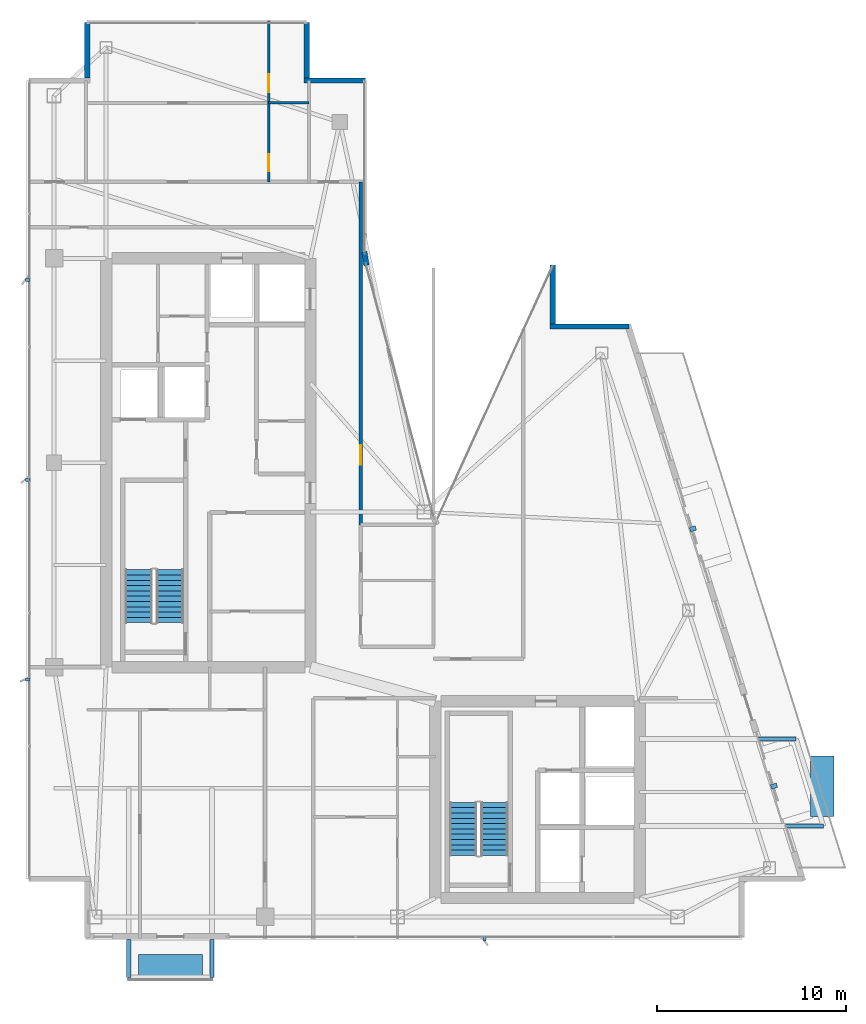
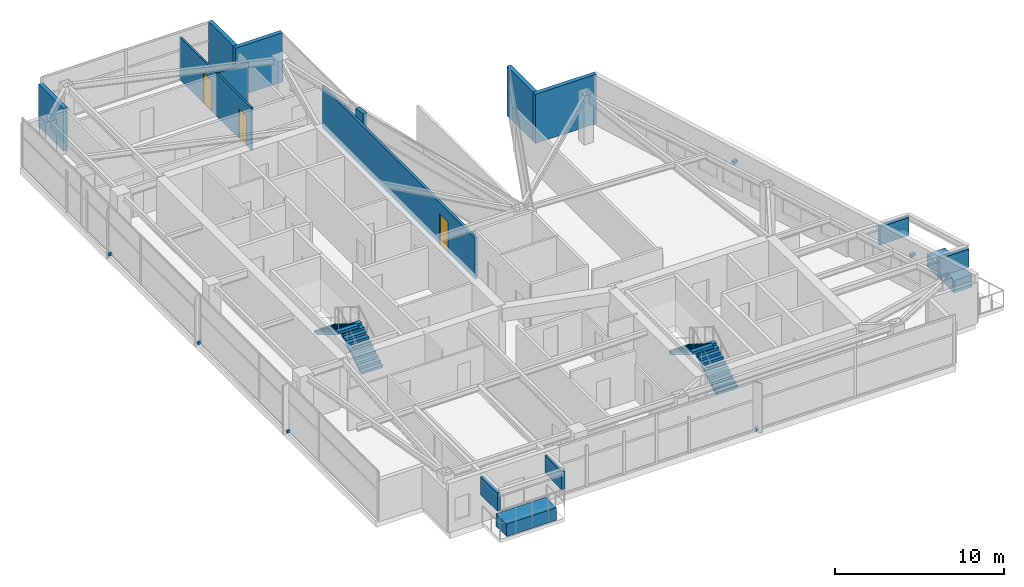
# One storey, part 25 of 27: 12 discrete accessories, 9 walls, 4 stair flights, 3 doors, 3 openings, 2 elements without a shape of their own.
"""IFC4 building model written with IfcOpenShell, lengths in metres."""

from ifc_helpers import new_model, si_unit, direction, frame, frame_2d, origin, origin_2d, place, context, subcontext, project, spatial, polyline, rectangle, outline, extrude, material, layer, layer_set, type_object, element, fill, aggregate, save


model = new_model("IFC4")

# Units and contexts
model_context = context("Model", 3, precision=1e-05, world=origin(), true_north=direction((0.0, 1.0)))
body_context = subcontext(model_context, "Body", "Model", "MODEL_VIEW")
ifc_project = project(units=[si_unit("LENGTHUNIT", "METRE"), si_unit("AREAUNIT", "SQUARE_METRE"), si_unit("VOLUMEUNIT", "CUBIC_METRE"), si_unit("PLANEANGLEUNIT", "RADIAN"), si_unit("MASSUNIT", "GRAM", prefix="KILO")], contexts=[model_context])

# Site, building, storey
site_placement = place(None, origin())
site = spatial("IfcSite", under=ifc_project, at=site_placement, CompositionType="ELEMENT")
building_placement = place(site_placement, origin())
building = spatial("IfcBuilding", under=site, at=building_placement, Name="Calvorn Quay Hotel", CompositionType="ELEMENT")
storey_placement = place(building_placement, frame((0.0, 0.0, 287.300048828125)))
storey = spatial("IfcBuildingStorey", under=building, at=storey_placement, Name="L71", CompositionType="ELEMENT", Elevation=287.300048828125)

# Wall, opening, door
ifc_material_1 = material(Name="Acoustic Fireboard Steel-Stud Partition", Category="steel")
ifc_layer_1 = layer(ifc_material_1, 0.179931640625)
ifc_layer_set_1 = layer_set([ifc_layer_1], Name="WL-CORR-FIRE-180")
wall_type_1 = type_object("IfcWallType", Name="WL-CORR-FIRE-180", PredefinedType="PARTITIONING", material=ifc_layer_set_1)
wall_1_placement = place(storey_placement, frame((17.64990234375, 24.300048828125, 0.0), z_axis=(0.0, 0.0, 1.0), x_axis=(0.0, 1.0, 0.0)))
wall_1 = element("IfcWall", 1, at=wall_1_placement, inside=storey, type_object=wall_type_1, Name="Partition Wall L71-WL-NW-CLOSURE-E", PredefinedType="PARTITIONING", context=body_context, shape_type="SweptSolid", body=[
    extrude(rectangle(XDim=18.14990234375, YDim=0.179931640625, at=frame_2d((9.074951171875, 0.0))), origin(), (0.0, 0.0, 1.0), 2.989990234375),
])
opening_1_placement = place(wall_1_placement, frame((3.199951171875, 0.0, 0.0)))
opening_1 = element("IfcOpeningElement", 2, at=opening_1_placement, cuts=wall_1, Name="Opening D-L71-NCU", PredefinedType="OPENING", context=body_context, shape_type="SweptSolid", body=[
    extrude(rectangle(XDim=1.02001953125, YDim=2.199951171875, at=frame_2d((0.510009765625, 1.10009765625))), frame((0.0, 0.099853515625, 0.0), z_axis=(0.0, -1.0, 0.0), x_axis=(1.0, 0.0, 0.0)), (0.0, 0.0, 1.0), 0.199951171875),
])
ifc_material_2 = material(Name="Solid-Core Walnut Veneer Hotel Fire Door")
door_type_1 = type_object("IfcDoorType", Name="DR-GUEST-ENTRY-1020", OperationType="NOTDEFINED", PredefinedType="DOOR", material=ifc_material_2)
door_1_placement = place(opening_1_placement, origin())
door_1 = element("IfcDoor", 3, at=door_1_placement, inside=storey, type_object=door_type_1, Name="Inner Court Horizon Study Door (L71)", OperationType="SINGLE_SWING_RIGHT", OverallHeight=2.199951171875, OverallWidth=1.02001953125, PredefinedType="DOOR", context=body_context, shape_type="SweptSolid", body=[
    extrude(rectangle(XDim=1.02001953125, YDim=2.199951171875, at=frame_2d((0.510009765625, 1.10009765625))), frame((0.0, 0.02490234375, 0.0), z_axis=(0.0, -1.0, 0.0), x_axis=(1.0, 0.0, 0.0)), (0.0, 0.0, 1.0), 0.050048828125),
])
fill(opening_1, door_1)

# Wall
ifc_material_3 = material(Name="Moisture-Resistant Tile-Backed Partition")
ifc_layer_2 = layer(ifc_material_3, 0.125)
ifc_layer_set_2 = layer_set([ifc_layer_2], Name="WL-ENSUITE-125")
wall_type_2 = type_object("IfcWallType", Name="WL-ENSUITE-125", PredefinedType="PARTITIONING", material=ifc_layer_set_2)
wall_2_placement = place(storey_placement, frame((12.7900390625, 46.6201171875, 0.0), z_axis=(0.0, 0.0, 1.0), x_axis=(1.0, 0.0, 0.0)))
element("IfcWall", 4, at=wall_2_placement, inside=storey, type_object=wall_type_2, Name="Partition Wall L71-WL-U03-BDV", PredefinedType="PARTITIONING", context=body_context, shape_type="SweptSolid", body=[
    extrude(rectangle(XDim=2.1298828125, YDim=0.125, at=frame_2d((1.06494140625, 0.0))), origin(), (0.0, 0.0, 1.0), 3.08984375),
])

# Wall, openings, doors
wall_3_placement = place(storey_placement, frame((12.7900390625, 42.449951171875, 0.0), z_axis=(0.0, 0.0, 1.0), x_axis=(0.0, 1.0, 0.0)))
wall_3 = element("IfcWall", 5, at=wall_3_placement, inside=storey, type_object=wall_type_2, Name="Partition Wall L71-WL-U03-BV", PredefinedType="PARTITIONING", context=body_context, shape_type="SweptSolid", body=[
    extrude(rectangle(XDim=8.489990234375, YDim=0.125, at=frame_2d((4.2451171875, 0.0))), origin(), (0.0, 0.0, 1.0), 3.08984375),
])
opening_2_placement = place(wall_3_placement, frame((0.550048828125, 0.0, 0.0)))
opening_2 = element("IfcOpeningElement", 6, at=opening_2_placement, cuts=wall_3, Name="Opening D-L71-E03", PredefinedType="OPENING", context=body_context, shape_type="SweptSolid", body=[
    extrude(rectangle(XDim=0.89990234375, YDim=2.14990234375, at=frame_2d((0.449951171875, 1.074951171875))), frame((0.0, 0.072509765625, 0.0), z_axis=(0.0, -1.0, 0.0), x_axis=(1.0, 0.0, 0.0)), (0.0, 0.0, 1.0), 0.14501953125),
])
opening_3_placement = place(wall_3_placement, frame((4.719970703125, 0.0, 0.0)))
opening_3 = element("IfcOpeningElement", 7, at=opening_3_placement, cuts=wall_3, Name="Opening D-L71-S03", PredefinedType="OPENING", context=body_context, shape_type="SweptSolid", body=[
    extrude(rectangle(XDim=0.9599609375, YDim=2.199951171875, at=frame_2d((0.47998046875, 1.10009765625))), frame((0.0, 0.072509765625, 0.0), z_axis=(0.0, -1.0, 0.0), x_axis=(1.0, 0.0, 0.0)), (0.0, 0.0, 1.0), 0.14501953125),
])
ifc_material_4 = material(Name="Moisture-Sealed Timber En-Suite Door", Category="wood")
door_type_2 = type_object("IfcDoorType", Name="DR-ENSUITE-900", OperationType="NOTDEFINED", PredefinedType="DOOR", material=ifc_material_4)
door_2_placement = place(opening_2_placement, origin())
door_2 = element("IfcDoor", 8, at=door_2_placement, inside=storey, type_object=door_type_2, Name="En-Suite Door 03", OperationType="SINGLE_SWING_LEFT", OverallHeight=2.14990234375, OverallWidth=0.89990234375, PredefinedType="DOOR", context=body_context, shape_type="SweptSolid", body=[
    extrude(rectangle(XDim=0.89990234375, YDim=2.14990234375, at=frame_2d((0.449951171875, 1.074951171875))), frame((0.0, 0.02490234375, 0.0), z_axis=(0.0, -1.0, 0.0), x_axis=(1.0, 0.0, 0.0)), (0.0, 0.0, 1.0), 0.050048828125),
])
fill(opening_2, door_2)
ifc_material_5 = material(Name="Solid Timber Internal Suite Door", Category="wood")
door_type_3 = type_object("IfcDoorType", Name="DR-SUITE-INT-960", OperationType="NOTDEFINED", PredefinedType="DOOR", material=ifc_material_5)
door_3_placement = place(opening_3_placement, origin())
door_3 = element("IfcDoor", 9, at=door_3_placement, inside=storey, type_object=door_type_3, Name="Walk-In Wardrobe Door 03", OperationType="SINGLE_SWING_RIGHT", OverallHeight=2.199951171875, OverallWidth=0.9599609375, PredefinedType="DOOR", context=body_context, shape_type="SweptSolid", body=[
    extrude(rectangle(XDim=0.9599609375, YDim=2.199951171875, at=frame_2d((0.47998046875, 1.10009765625))), frame((0.0, 0.02490234375, 0.0), z_axis=(0.0, -1.0, 0.0), x_axis=(1.0, 0.0, 0.0)), (0.0, 0.0, 1.0), 0.050048828125),
])
fill(opening_3, door_3)

# Walls
ifc_material_6 = material(Name="Concrete C40", Category="concrete")
ifc_layer_3 = layer(ifc_material_6, 0.320068359375)
ifc_layer_set_3 = layer_set([ifc_layer_3], Name="WL-EXT-SPANDREL-320")
wall_type_3 = type_object("IfcWallType", Name="WL-EXT-SPANDREL-320", PredefinedType="SOLIDWALL", material=ifc_layer_set_3)
wall_4_placement = place(storey_placement, frame((17.9619140625, 38.030029296875, 0.0), z_axis=(0.0, 0.0, 1.0), x_axis=(-0.15141125477, 0.988470855377, 0.0)))
element("IfcWall", 10, at=wall_4_placement, inside=storey, type_object=wall_type_3, Name="Inner Court Corner Pier L71-ICJ2", PredefinedType="SOLIDWALL", context=body_context, shape_type="SweptSolid", body=[
    extrude(rectangle(XDim=0.738525390625, YDim=0.280029296875, at=frame_2d((0.369140625, 0.0))), origin(), (0.0, 0.0, 1.0), 3.56005859375),
])
wall_5_placement = place(storey_placement, frame((31.840087890625, 34.800048828125, 0.0), z_axis=(0.0, 0.0, 1.0), x_axis=(-1.0, 0.0, 0.0)))
element("IfcWall", 11, at=wall_5_placement, inside=storey, type_object=wall_type_3, Name="Notched Corner Spandrel L71-NE1", PredefinedType="SOLIDWALL", context=body_context, shape_type="SweptSolid", body=[
    extrude(rectangle(XDim=4.18017578125, YDim=0.280029296875, at=frame_2d((2.090087890625, 0.0))), origin(), (0.0, 0.0, 1.0), 3.56005859375),
])
wall_6_placement = place(storey_placement, frame((27.800048828125, 34.93994140625, 0.0), z_axis=(0.0, 0.0, 1.0), x_axis=(0.0, 1.0, 0.0)))
element("IfcWall", 12, at=wall_6_placement, inside=storey, type_object=wall_type_3, Name="Notched Corner Spandrel L71-NE2", PredefinedType="SOLIDWALL", context=body_context, shape_type="SweptSolid", body=[
    extrude(rectangle(XDim=3.10009765625, YDim=0.280029296875, at=frame_2d((1.550048828125, 0.0))), origin(), (0.0, 0.0, 1.0), 3.56005859375),
])
wall_7_placement = place(storey_placement, frame((17.89990234375, 47.800048828125, 0.0), z_axis=(0.0, 0.0, 1.0), x_axis=(-1.0, 0.0, 0.0)))
element("IfcWall", 13, at=wall_7_placement, inside=storey, type_object=wall_type_3, Name="Notched Corner Spandrel L71-NWE1", PredefinedType="SOLIDWALL", context=body_context, shape_type="SweptSolid", body=[
    extrude(rectangle(XDim=3.239990234375, YDim=0.280029296875, at=frame_2d((1.6201171875, 0.0))), origin(), (0.0, 0.0, 1.0), 3.56005859375),
])
wall_8_placement = place(storey_placement, frame((14.800048828125, 47.93994140625, 0.0), z_axis=(0.0, 0.0, 1.0), x_axis=(0.0, 1.0, 0.0)))
element("IfcWall", 14, at=wall_8_placement, inside=storey, type_object=wall_type_3, Name="Notched Corner Spandrel L71-NWE2", PredefinedType="SOLIDWALL", context=body_context, shape_type="SweptSolid", body=[
    extrude(rectangle(XDim=2.93994140625, YDim=0.280029296875, at=frame_2d((1.469970703125, 0.0))), origin(), (0.0, 0.0, 1.0), 3.56005859375),
])
wall_9_placement = place(storey_placement, frame((3.199951171875, 50.8798828125, 0.0), z_axis=(0.0, 0.0, 1.0), x_axis=(0.0, -1.0, 0.0)))
element("IfcWall", 15, at=wall_9_placement, inside=storey, type_object=wall_type_3, Name="Notched Corner Spandrel L71-NW1", PredefinedType="SOLIDWALL", context=body_context, shape_type="SweptSolid", body=[
    extrude(rectangle(XDim=2.93994140625, YDim=0.280029296875, at=frame_2d((1.469970703125, 0.0))), origin(), (0.0, 0.0, 1.0), 3.08984375),
])

# Stair, stair flights
ifc_material_7 = material(Name="Concrete C40", Category="concrete")
stair_type = type_object("IfcStairType", Name="STR-CORE-DOGLEG", PredefinedType="HALF_TURN_STAIR", material=ifc_material_7)
stair_1_placement = place(storey_placement, origin())
stair_1 = element("IfcStair", 16, at=stair_1_placement, inside=storey, type_object=stair_type, Name="L71 ST-W", PredefinedType="HALF_TURN_STAIR")
ifc_material_8 = material(Name="Concrete C40", Category="concrete")
stair_flight_type = type_object("IfcStairFlightType", Name="FLT-CORE-1550", PredefinedType="STRAIGHT", material=ifc_material_8)
stair_flight_1_placement = place(storey_placement, frame((7.574951171875, 19.14990234375, 0.0), z_axis=(0.0, 0.0, 1.0), x_axis=(0.0, 1.0, 0.0)))
stair_flight_1 = element("IfcStairFlight", 17, at=stair_flight_1_placement, type_object=stair_flight_type, Name="ST-W flight 1", NumberOfRisers=11, NumberOfTreads=10, PredefinedType="STRAIGHT", RiserHeight=0.172727273, TreadLength=0.28, context=body_context, shape_type="SweptSolid", body=[
    extrude(outline(polyline([(0.0, 0.0), (0.0, 0.172607421875), (0.280029296875, 0.172607421875), (0.280029296875, 0.345458984375), (0.56005859375, 0.345458984375), (0.56005859375, 0.51806640625), (0.840087890625, 0.51806640625), (0.840087890625, 0.69091796875), (1.1201171875, 0.69091796875), (1.1201171875, 0.863525390625), (1.39990234375, 0.863525390625), (1.39990234375, 1.036376953125), (1.679931640625, 1.036376953125), (1.679931640625, 1.208984375), (1.9599609375, 1.208984375), (1.9599609375, 1.3818359375), (2.239990234375, 1.3818359375), (2.239990234375, 1.554443359375), (2.52001953125, 1.554443359375), (2.52001953125, 1.727294921875), (2.800048828125, 1.727294921875), (2.800048828125, 1.89990234375), (2.800048828125, 1.551025390625), (0.285400390625, 0.0), (0.0, 0.0)])), frame((0.0, 0.72509765625, 0.0), z_axis=(0.0, -1.0, 0.0), x_axis=(1.0, 0.0, 0.0)), (0.0, 0.0, 1.0), 1.449951171875),
])
stair_flight_2_placement = place(storey_placement, frame((5.925048828125, 21.949951171875, 1.89990234375), z_axis=(0.0, 0.0, 1.0), x_axis=(0.0, -1.0, 0.0)))
stair_flight_2 = element("IfcStairFlight", 18, at=stair_flight_2_placement, type_object=stair_flight_type, Name="ST-W flight 2", NumberOfRisers=11, NumberOfTreads=10, PredefinedType="STRAIGHT", RiserHeight=0.172727273, TreadLength=0.28, context=body_context, shape_type="SweptSolid", body=[
    extrude(outline(polyline([(0.0, 0.0), (0.0, 0.172607421875), (0.280029296875, 0.172607421875), (0.280029296875, 0.345458984375), (0.56005859375, 0.345458984375), (0.56005859375, 0.51806640625), (0.840087890625, 0.51806640625), (0.840087890625, 0.69091796875), (1.1201171875, 0.69091796875), (1.1201171875, 0.863525390625), (1.39990234375, 0.863525390625), (1.39990234375, 1.036376953125), (1.679931640625, 1.036376953125), (1.679931640625, 1.208984375), (1.9599609375, 1.208984375), (1.9599609375, 1.3818359375), (2.239990234375, 1.3818359375), (2.239990234375, 1.554443359375), (2.52001953125, 1.554443359375), (2.52001953125, 1.727294921875), (2.800048828125, 1.727294921875), (2.800048828125, 1.89990234375), (2.800048828125, 1.551025390625), (0.285400390625, 0.0), (0.0, 0.0)])), frame((0.0, 0.72509765625, 0.0), z_axis=(0.0, -1.0, 0.0), x_axis=(1.0, 0.0, 0.0)), (0.0, 0.0, 1.0), 1.449951171875),
])
aggregate(stair_1, [stair_flight_1, stair_flight_2])

stair_2_placement = place(storey_placement, origin())
stair_2 = element("IfcStair", 19, at=stair_2_placement, inside=storey, type_object=stair_type, Name="L71 ST-E", PredefinedType="HALF_TURN_STAIR")
stair_flight_3_placement = place(storey_placement, frame((24.72509765625, 6.85009765625, 0.0), z_axis=(0.0, 0.0, 1.0), x_axis=(0.0, 1.0, 0.0)))
stair_flight_3 = element("IfcStairFlight", 20, at=stair_flight_3_placement, type_object=stair_flight_type, Name="ST-E flight 1", NumberOfRisers=11, NumberOfTreads=10, PredefinedType="STRAIGHT", RiserHeight=0.172727273, TreadLength=0.28, context=body_context, shape_type="SweptSolid", body=[
    extrude(outline(polyline([(0.0, 0.0), (0.0, 0.172607421875), (0.280029296875, 0.172607421875), (0.280029296875, 0.345458984375), (0.56005859375, 0.345458984375), (0.56005859375, 0.51806640625), (0.840087890625, 0.51806640625), (0.840087890625, 0.69091796875), (1.1201171875, 0.69091796875), (1.1201171875, 0.863525390625), (1.39990234375, 0.863525390625), (1.39990234375, 1.036376953125), (1.679931640625, 1.036376953125), (1.679931640625, 1.208984375), (1.9599609375, 1.208984375), (1.9599609375, 1.3818359375), (2.239990234375, 1.3818359375), (2.239990234375, 1.554443359375), (2.52001953125, 1.554443359375), (2.52001953125, 1.727294921875), (2.800048828125, 1.727294921875), (2.800048828125, 1.89990234375), (2.800048828125, 1.551025390625), (0.285400390625, 0.0), (0.0, 0.0)])), frame((0.0, 0.72509765625, 0.0), z_axis=(0.0, -1.0, 0.0), x_axis=(1.0, 0.0, 0.0)), (0.0, 0.0, 1.0), 1.449951171875),
])
stair_flight_4_placement = place(storey_placement, frame((23.074951171875, 9.64990234375, 1.89990234375), z_axis=(0.0, 0.0, 1.0), x_axis=(0.0, -1.0, 0.0)))
stair_flight_4 = element("IfcStairFlight", 21, at=stair_flight_4_placement, type_object=stair_flight_type, Name="ST-E flight 2", NumberOfRisers=11, NumberOfTreads=10, PredefinedType="STRAIGHT", RiserHeight=0.172727273, TreadLength=0.28, context=body_context, shape_type="SweptSolid", body=[
    extrude(outline(polyline([(0.0, 0.0), (0.0, 0.172607421875), (0.280029296875, 0.172607421875), (0.280029296875, 0.345458984375), (0.56005859375, 0.345458984375), (0.56005859375, 0.51806640625), (0.840087890625, 0.51806640625), (0.840087890625, 0.69091796875), (1.1201171875, 0.69091796875), (1.1201171875, 0.863525390625), (1.39990234375, 0.863525390625), (1.39990234375, 1.036376953125), (1.679931640625, 1.036376953125), (1.679931640625, 1.208984375), (1.9599609375, 1.208984375), (1.9599609375, 1.3818359375), (2.239990234375, 1.3818359375), (2.239990234375, 1.554443359375), (2.52001953125, 1.554443359375), (2.52001953125, 1.727294921875), (2.800048828125, 1.727294921875), (2.800048828125, 1.89990234375), (2.800048828125, 1.551025390625), (0.285400390625, 0.0), (0.0, 0.0)])), frame((0.0, 0.72509765625, 0.0), z_axis=(0.0, -1.0, 0.0), x_axis=(1.0, 0.0, 0.0)), (0.0, 0.0, 1.0), 1.449951171875),
])
aggregate(stair_2, [stair_flight_3, stair_flight_4])

# Discrete accessories
ifc_material_9 = material(Name="Steel Q355B", Category="steel")
discrete_accessory_type_1 = type_object("IfcDiscreteAccessoryType", Name="ACC-BALC-STRUT", PredefinedType="BRACKET", material=ifc_material_9)
for number, where, z_axis, x_axis, name in (
    (22, (41.113037109375, 8.39990234375, 2.01513671875), (0.0, 0.0, 1.0), (1.0, 0.0, 0.0), "Exterior Balcony Steel Bracket L72-BALC-E-A"),
    (23, (39.6630859375, 13.0, 2.01513671875), (0.0, 0.0, 1.0), (1.0, 0.0, 0.0), "Exterior Balcony Steel Bracket L72-BALC-E-B"),
):
    element("IfcDiscreteAccessory", number, at=place(storey_placement, frame(where, z_axis=z_axis, x_axis=x_axis)), inside=storey, type_object=discrete_accessory_type_1, Name=name, PredefinedType="BRACKET", context=body_context, shape_type="SweptSolid", body=[
        extrude(rectangle(XDim=1.989990234375, YDim=0.219970703125, at=origin_2d()), origin(), (0.0, 0.0, 1.0), 1.300048828125),
    ])
for number, where, z_axis, x_axis, name in (
    (24, (5.39990234375, 1.405029296875, 2.01513671875), (0.0, 0.0, 1.0), (1.0, 0.0, 0.0), "Exterior Balcony Steel Bracket L72-BALC-S-A"),
    (25, (9.800048828125, 1.405029296875, 2.01513671875), (0.0, 0.0, 1.0), (1.0, 0.0, 0.0), "Exterior Balcony Steel Bracket L72-BALC-S-B"),
):
    element("IfcDiscreteAccessory", number, at=place(storey_placement, frame(where, z_axis=z_axis, x_axis=x_axis)), inside=storey, type_object=discrete_accessory_type_1, Name=name, PredefinedType="BRACKET", context=body_context, shape_type="SweptSolid", body=[
        extrude(rectangle(XDim=0.219970703125, YDim=1.989990234375, at=origin_2d()), origin(), (0.0, 0.0, 1.0), 1.300048828125),
    ])
ifc_material_10 = material(Name="Steel Q355B", Category="steel")
discrete_accessory_type_2 = type_object("IfcDiscreteAccessoryType", Name="ACC-FIN-BRACKET", PredefinedType="BRACKET", material=ifc_material_10)
for number, where, z_axis, x_axis, name in (
    (26, (0.06005859375, 16.14990234375, 0.02978515625), (0.0, 0.0, 1.0), (1.0, 0.0, 0.0), "Fin Anchor Bracket L71-W01"),
    (27, (0.06005859375, 26.699951171875, 0.02978515625), (0.0, 0.0, 1.0), (1.0, 0.0, 0.0), "Fin Anchor Bracket L71-W02"),
    (28, (0.06005859375, 37.25, 0.02978515625), (0.0, 0.0, 1.0), (1.0, 0.0, 0.0), "Fin Anchor Bracket L71-W03"),
    (29, (24.199951171875, 2.4599609375, 0.02978515625), (0.0, 0.0, 1.0), (0.0, 1.0, 0.0), "Fin Anchor Bracket L71-S01"),
):
    element("IfcDiscreteAccessory", number, at=place(storey_placement, frame(where, z_axis=z_axis, x_axis=x_axis)), inside=storey, type_object=discrete_accessory_type_2, Name=name, PredefinedType="BRACKET", context=body_context, shape_type="SweptSolid", body=[
        extrude(rectangle(XDim=0.239990234375, YDim=0.159912109375, at=origin_2d()), origin(), (0.0, 0.0, 1.0), 0.179931640625),
    ])
for number, where, z_axis, x_axis, name in (
    (30, (39.4951171875, 10.511962890625, 2.3701171875), (0.0, 0.0, 1.0), (0.957319497532, 0.289031796944, 0.0), "Bay Hood Support Bracket L71-HOOD-1"),
    (31, (35.2099609375, 24.112060546875, 2.3701171875), (0.0, 0.0, 1.0), (0.957319497532, 0.289031796944, 0.0), "Bay Hood Support Bracket L71-HOOD-3"),
):
    element("IfcDiscreteAccessory", number, at=place(storey_placement, frame(where, z_axis=z_axis, x_axis=x_axis)), inside=storey, type_object=discrete_accessory_type_2, Name=name, PredefinedType="BRACKET", context=body_context, shape_type="SweptSolid", body=[
        extrude(rectangle(XDim=0.320068359375, YDim=0.239990234375, at=origin_2d()), origin(), (0.0, 0.0, 1.0), 0.199951171875),
    ])
ifc_material_11 = material(Name="Precast concrete C40", Category="concrete")
discrete_accessory_type_3 = type_object("IfcDiscreteAccessoryType", Name="ACC-TREE-PLANTER", PredefinedType="USERDEFINED", material=ifc_material_11)
discrete_accessory_1_placement = place(storey_placement, frame((7.60009765625, 0.989990234375, 0.0), z_axis=(0.0, 0.0, 1.0), x_axis=(1.0, 0.0, 0.0)))
element("IfcDiscreteAccessory", 32, at=discrete_accessory_1_placement, inside=storey, type_object=discrete_accessory_type_3, Name="Subtropical Tree Structural Planter L71-BALC-S", ObjectType="PLANTER", PredefinedType="USERDEFINED", context=body_context, shape_type="SweptSolid", body=[
    extrude(rectangle(XDim=3.39990234375, YDim=1.25, at=origin_2d()), origin(), (0.0, 0.0, 1.0), 0.89990234375),
])
discrete_accessory_2_placement = place(storey_placement, frame((42.0458984375, 10.5, 0.0), z_axis=(0.0, 0.0, 1.0), x_axis=(1.0, 0.0, 0.0)))
element("IfcDiscreteAccessory", 33, at=discrete_accessory_2_placement, inside=storey, type_object=discrete_accessory_type_3, Name="Sawtooth Terrace Tree Planter (L71)", ObjectType="PLANTER", PredefinedType="USERDEFINED", context=body_context, shape_type="SweptSolid", body=[
    extrude(rectangle(XDim=1.25, YDim=3.199951171875, at=origin_2d()), origin(), (0.0, 0.0, 1.0), 0.89990234375),
])

save(model, "model.ifc")
